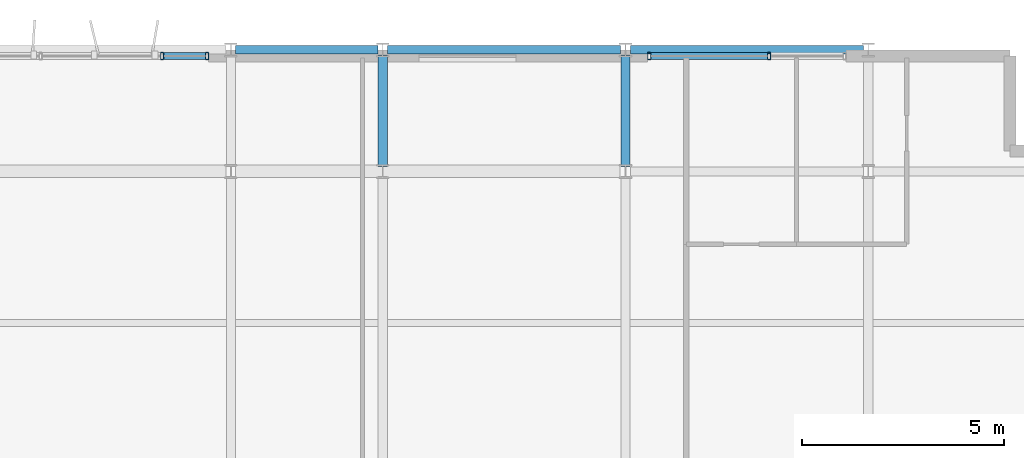
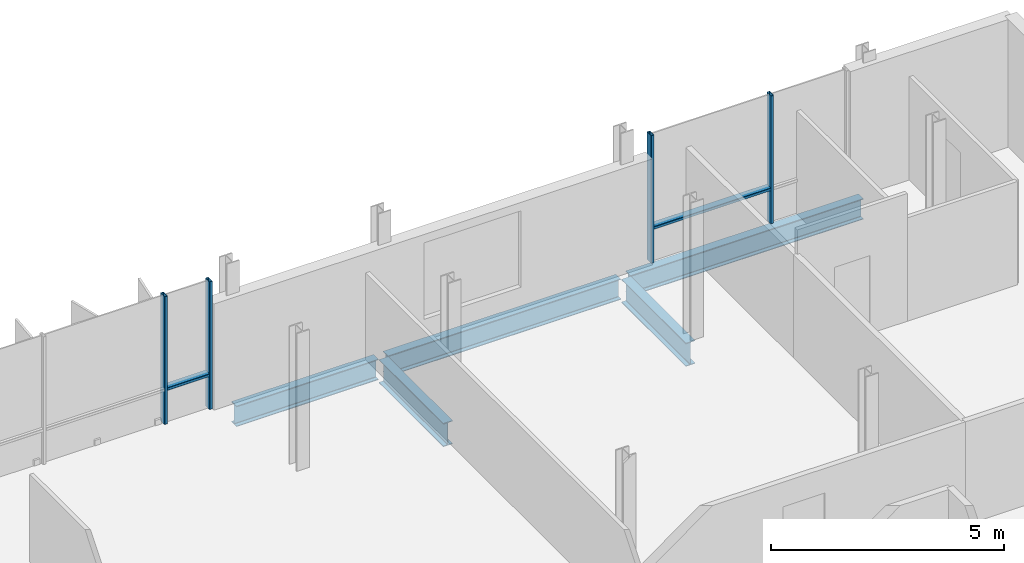
# One storey, part 7 of 18: 6 members, 5 beams, 2 elements without a shape of their own.
"""IFC4 building model written with IfcOpenShell, lengths in metres."""

import ifcopenshell
import ifcopenshell.guid

model = None  # the IFC model being written
_history = None  # IfcOwnerHistory: only IFC2X3 demands one
_inside = {}  # id of a spatial element -> (the spatial element, [elements in it])
_under = {}  # id of a project, library or spatial element -> (it, [spatial elements below it])
_declared = {}  # id of a project -> (the project, [libraries it declares])
_typed = {}  # id of a type object -> (the type object, [elements of that type])
_made_of = {}  # id of a material, layer set ... -> (it, [elements and type objects made of it])


def new_model(schema):
    """Start an empty IFC model of exactly this schema.

    Asked for "IFC4X3", IfcOpenShell would pick the latest addendum, in which some entities
    have other attributes; the version numbers below select the first issue.
    IFC2X3 requires an IfcOwnerHistory on every rooted entity: one is made here for all.
    """
    global model, _history
    if schema == "IFC4X3":
        model = ifcopenshell.file(schema_version=(4, 3, 0, 0))
    else:
        model = ifcopenshell.file(schema=schema)
    _inside.clear()
    _under.clear()
    _declared.clear()
    _typed.clear()
    _made_of.clear()
    _history = None
    if model.schema == "IFC2X3":
        org = make("IfcOrganization", Name="unknown")
        user = make(
            "IfcPersonAndOrganization",
            ThePerson=make("IfcPerson", FamilyName="unknown"),
            TheOrganization=org,
        )
        app = make(
            "IfcApplication",
            ApplicationDeveloper=org,
            Version="unknown",
            ApplicationFullName="unknown",
            ApplicationIdentifier="unknown",
        )
        _history = make(
            "IfcOwnerHistory",
            OwningUser=user,
            OwningApplication=app,
            ChangeAction="ADDED",
            CreationDate=0,
        )
    return model


def make(cls, **values):
    """One entity of the class cls with the attributes given. An attribute that is None is left unset."""
    return model.create_entity(
        cls, **{name: value for name, value in values.items() if value is not None}
    )


def rooted(cls, **values):
    """An entity with a GlobalId (a new one), such as an element, a storey or a relation."""
    return make(cls, GlobalId=ifcopenshell.guid.new(), OwnerHistory=_history, **values)


def si_unit(unit_type, name, prefix=None):
    """IfcSIUnit, for example si_unit("LENGTHUNIT", "METRE", prefix="MILLI")."""
    return make("IfcSIUnit", UnitType=unit_type, Prefix=prefix, Name=name)


def assignment(units):
    """IfcUnitAssignment: the units of a project."""
    return None if units is None else make("IfcUnitAssignment", Units=units)


def point(xyz):
    """IfcCartesianPoint."""
    return None if xyz is None else make("IfcCartesianPoint", Coordinates=xyz)


def direction(xyz):
    """IfcDirection."""
    return None if xyz is None else make("IfcDirection", DirectionRatios=xyz)


def frame(location, z_axis=None, x_axis=None):
    """IfcAxis2Placement3D, a coordinate frame: its origin and axes. An axis left out is left unset."""
    return make(
        "IfcAxis2Placement3D",
        Location=point(location),
        Axis=direction(z_axis),
        RefDirection=direction(x_axis),
    )


def frame_2d(location, x_axis=None):
    """IfcAxis2Placement2D, a coordinate frame in the plane: its origin and x axis."""
    return make(
        "IfcAxis2Placement2D", Location=point(location), RefDirection=direction(x_axis)
    )


def origin():
    """The frame at (0, 0, 0) with its axes left unset."""
    return frame((0.0, 0.0, 0.0))


def origin_2d():
    """The frame at (0, 0) in the plane with its x axis left unset."""
    return frame_2d((0.0, 0.0))


def place(relative_to, where):
    """IfcLocalPlacement: puts the frame where relative to a parent placement (None: the world)."""
    return make(
        "IfcLocalPlacement", PlacementRelTo=relative_to, RelativePlacement=where
    )


def context(
    kind, dimensions, precision=None, world=None, true_north=None, identifier=None
):
    """IfcGeometricRepresentationContext, for example the 3D "Model" context."""
    return make(
        "IfcGeometricRepresentationContext",
        ContextIdentifier=identifier,
        ContextType=kind,
        CoordinateSpaceDimension=dimensions,
        Precision=precision,
        WorldCoordinateSystem=world,
        TrueNorth=true_north,
    )


def subcontext(parent, identifier, kind, view, scale=None):
    """IfcGeometricRepresentationSubContext, for example "Body" below "Model"."""
    return make(
        "IfcGeometricRepresentationSubContext",
        ContextIdentifier=identifier,
        ContextType=kind,
        ParentContext=parent,
        TargetScale=scale,
        TargetView=view,
    )


def project(units=None, contexts=None):
    """IfcProject with its units and contexts."""
    return rooted(
        "IfcProject",
        Name="project",
        RepresentationContexts=contexts,
        UnitsInContext=assignment(units),
    )


def spatial(cls, under=None, at=None, **own):
    """A site, building, storey or space (cls), placed at a placement, below another one or the project."""
    s = rooted(cls, ObjectPlacement=at, **own)
    if under is not None:
        _under.setdefault(under.id(), (under, []))[1].append(s)
    return s


def profile(cls, at=None, kind="AREA", **sizes):
    """A parametric profile (cls). Its sizes go by their IFC names, for example OverallWidth=200.0."""
    return make(cls, ProfileType=kind, Position=at, **sizes)


def hollow_rectangle(**sizes):
    """IfcRectangleHollowProfileDef."""
    return profile("IfcRectangleHollowProfileDef", **sizes)


def i_section(**sizes):
    """IfcIShapeProfileDef."""
    return profile("IfcIShapeProfileDef", **sizes)


def extrude(swept, where, along, depth):
    """IfcExtrudedAreaSolid: the profile swept, set in the frame where, extruded along a direction by depth."""
    return make(
        "IfcExtrudedAreaSolid",
        SweptArea=swept,
        Position=where,
        ExtrudedDirection=direction(along),
        Depth=depth,
    )


def shape(context_of_items, identifier, shape_type, items):
    """IfcShapeRepresentation: the items that make up one representation, for example the "Body"."""
    return make(
        "IfcShapeRepresentation",
        ContextOfItems=context_of_items,
        RepresentationIdentifier=identifier,
        RepresentationType=shape_type,
        Items=items,
    )


def material(Name=None, Category=None):
    """IfcMaterial."""
    return make("IfcMaterial", Name=Name, Category=Category)


def layer(
    of_material, thickness, ventilated=None, Name=None, Category=None, Priority=None
):
    """IfcMaterialLayer: one layer of a wall or slab, of a material (None: an air gap)."""
    return make(
        "IfcMaterialLayer",
        Material=of_material,
        LayerThickness=thickness,
        IsVentilated=ventilated,
        Name=Name,
        Category=Category,
        Priority=Priority,
    )


def layer_set(layers, Name=None):
    """IfcMaterialLayerSet."""
    return make("IfcMaterialLayerSet", MaterialLayers=layers, LayerSetName=Name)


def material_profile(
    of_material, cross_section, Name=None, Category=None, Priority=None
):
    """IfcMaterialProfile: a cross section and its material."""
    return make(
        "IfcMaterialProfile",
        Name=Name,
        Material=of_material,
        Profile=cross_section,
        Priority=Priority,
        Category=Category,
    )


def profile_set(profiles, Name=None, composite=None):
    """IfcMaterialProfileSet."""
    return make(
        "IfcMaterialProfileSet",
        Name=Name,
        MaterialProfiles=profiles,
        CompositeProfile=composite,
    )


def made_of(thing, what):
    """Note that an element or type object is made of a material, layer set ...; save() writes the relation."""
    if what is not None:
        _made_of.setdefault(what.id(), (what, []))[1].append(thing)
    return thing


def type_object(cls, material=None, **own):
    """A type object (cls), such as IfcWallType, which elements share."""
    return made_of(rooted(cls, **own), material)


def element(
    cls,
    number,
    at=None,
    inside=None,
    cuts=None,
    type_object=None,
    material=None,
    context=None,
    identifier="Body",
    shape_type=None,
    held_by="IfcProductDefinitionShape",
    body=None,
    shapes=None,
    **own,
):
    """One element of the class cls, such as IfcWall. Its Tag is "e" and its number.

    at: its placement. inside: the storey or other place that contains it. cuts: it is an
    opening in that element (IfcRelVoidsElement). A single representation is given by context,
    identifier, shape_type and body (its items); several are given by shapes. held_by: the class
    of the entity that holds the representations. save() writes the other relations.
    """
    e = rooted(cls, Tag="e%d" % number, ObjectPlacement=at, **own)
    if body is not None:
        shapes = [shape(context, identifier, shape_type, body)]
    if shapes is not None:
        e.Representation = make(held_by, Representations=shapes)
    if inside is not None:
        _inside.setdefault(inside.id(), (inside, []))[1].append(e)
    if cuts is not None:
        rooted(
            "IfcRelVoidsElement", RelatingBuildingElement=cuts, RelatedOpeningElement=e
        )
    if type_object is not None:
        _typed.setdefault(type_object.id(), (type_object, []))[1].append(e)
    return made_of(e, material)


def aggregate(whole, parts):
    """IfcRelAggregates: a whole, such as a stair, and the parts it consists of."""
    return rooted("IfcRelAggregates", RelatingObject=whole, RelatedObjects=parts)


def save(model, path):
    """Write the relations noted so far, then the file.

    IfcRelAggregates (storeys below a building ...), IfcRelContainedInSpatialStructure (elements
    in a storey), IfcRelDefinesByType, IfcRelAssociatesMaterial and IfcRelDeclares: one each for
    every whole, place, type object, material and project.
    """
    for whole, parts in _under.values():
        aggregate(whole, parts)
    for where, things in _inside.values():
        rooted(
            "IfcRelContainedInSpatialStructure",
            RelatedElements=things,
            RelatingStructure=where,
        )
    for kind, things in _typed.values():
        rooted("IfcRelDefinesByType", RelatedObjects=things, RelatingType=kind)
    for what, things in _made_of.values():
        rooted("IfcRelAssociatesMaterial", RelatedObjects=things, RelatingMaterial=what)
    for by, libraries in _declared.values():
        rooted("IfcRelDeclares", RelatingContext=by, RelatedDefinitions=libraries)
    model.write(path)


model = new_model("IFC4")

# Units and contexts
model_context = context("Model", 3, precision=1e-05, world=origin(), true_north=direction((0.0, 1.0)))
body_context = subcontext(model_context, "Body", "Model", "MODEL_VIEW")
ifc_project = project(units=[si_unit("LENGTHUNIT", "METRE"), si_unit("AREAUNIT", "SQUARE_METRE"), si_unit("VOLUMEUNIT", "CUBIC_METRE"), si_unit("PLANEANGLEUNIT", "RADIAN"), si_unit("MASSUNIT", "GRAM", prefix="KILO")], contexts=[model_context])

# Site, building, storey
site_placement = place(None, origin())
site = spatial("IfcSite", under=ifc_project, at=site_placement, CompositionType="ELEMENT")
building_placement = place(site_placement, origin())
building = spatial("IfcBuilding", under=site, at=building_placement, Name="Brevholm Reach", CompositionType="ELEMENT")
storey_placement = place(building_placement, frame((0.0, 0.0, 243.64990234375)))
storey = spatial("IfcBuildingStorey", under=building, at=storey_placement, Name="L74", CompositionType="ELEMENT", Elevation=243.64990234375)

# Beams
ifc_material_1 = material(Name="Structural Steel S355J2", Category="steel")
ifc_material_profile_1 = material_profile(ifc_material_1, i_section(OverallWidth=0.210693359375, OverallDepth=0.53955078125, WebThickness=0.01171875, FlangeThickness=0.018798828125, FilletRadius=0.0126953125, at=origin_2d()), Name="UKB 533x210x109")
ifc_profile_set_1 = profile_set([ifc_material_profile_1], Name="Structural Steel S355J2")
beam_type_1 = type_object("IfcBeamType", Name="BM-SP539", PredefinedType="SPANDREL", material=ifc_profile_set_1)
beam_placement = place(storey_placement, frame((38.3701171875, 26.5, -0.51953125), z_axis=(1.0, 0.0, 0.0), x_axis=(0.0, 1.0, 0.0)))
element("IfcBeam", 1, at=beam_placement, inside=storey, type_object=beam_type_1, Name="L74 SP-01B Framing Beam", PredefinedType="SPANDREL", context=body_context, shape_type="SweptSolid", body=[
    extrude(i_section(OverallWidth=0.210693359375, OverallDepth=0.53955078125, WebThickness=0.01171875, FlangeThickness=0.018798828125, FilletRadius=0.0126953125, at=origin_2d()), origin(), (0.0, 0.0, 1.0), 3.509765625),
])
for number, where, z_axis, x_axis, name in (
    (2, (42.1201171875, 26.5, -0.51953125), (1.0, 0.0, 0.0), (0.0, 1.0, 0.0), "L74 SP-01B Framing Beam"),
    (3, (48.1201171875, 26.5, -0.51953125), (1.0, 0.0, 0.0), (0.0, 1.0, 0.0), "L74 SP-01B Framing Beam"),
):
    element("IfcBeam", number, at=place(storey_placement, frame(where, z_axis=z_axis, x_axis=x_axis)), inside=storey, type_object=beam_type_1, Name=name, PredefinedType="SPANDREL", context=body_context, shape_type="SweptSolid", body=[
        extrude(i_section(OverallWidth=0.210693359375, OverallDepth=0.53955078125, WebThickness=0.01171875, FlangeThickness=0.018798828125, FilletRadius=0.0126953125, at=origin_2d()), origin(), (0.0, 0.0, 1.0), 5.759765625),
    ])
ifc_material_2 = material(Name="Structural Steel S355J2", Category="steel")
ifc_material_profile_2 = material_profile(ifc_material_2, i_section(OverallWidth=0.22900390625, OverallDepth=0.6123046875, WebThickness=0.011962890625, FlangeThickness=0.01953125, FilletRadius=0.0126953125, at=origin_2d()), Name="UKB 610x229x125")
ifc_profile_set_2 = profile_set([ifc_material_profile_2], Name="Structural Steel S355J2")
beam_type_2 = type_object("IfcBeamType", Name="BM-SP610", PredefinedType="SPANDREL", material=ifc_profile_set_2)
for number, where, z_axis, x_axis, name in (
    (4, (42.0, 23.6201171875, -0.555908203125), (0.0, 1.0, 0.0), (-1.0, 0.0, 0.0), "L74 SP-01 Framing Beam"),
    (5, (48.0, 23.6201171875, -0.555908203125), (0.0, 1.0, 0.0), (-1.0, 0.0, 0.0), "L74 SP-01 Framing Beam"),
):
    element("IfcBeam", number, at=place(storey_placement, frame(where, z_axis=z_axis, x_axis=x_axis)), inside=storey, type_object=beam_type_2, Name=name, PredefinedType="SPANDREL", context=body_context, shape_type="SweptSolid", body=[
        extrude(i_section(OverallWidth=0.22900390625, OverallDepth=0.6123046875, WebThickness=0.011962890625, FlangeThickness=0.01953125, FilletRadius=0.0126953125, at=origin_2d()), origin(), (0.0, 0.0, 1.0), 2.759765625),
    ])

# Curtain wall, members
ifc_material_3 = material(Name="Dark Anodised Aluminium 6063-T6 and Solar-Control Glass", Category="aluminium")
ifc_layer = layer(ifc_material_3, 0.179931640625)
ifc_layer_set = layer_set([ifc_layer], Name="Dark Anodised Aluminium 6063-T6 and Solar-Control Glass")
curtain_wall_type = type_object("IfcCurtainWallType", Name="CW-05", PredefinedType="NOTDEFINED", material=ifc_layer_set)
curtain_wall_1_placement = place(storey_placement, origin())
curtain_wall_1 = element("IfcCurtainWall", 6, at=curtain_wall_1_placement, inside=storey, type_object=curtain_wall_type, Name="L74 Curtain Wall CW-05", PredefinedType="NOTDEFINED")
ifc_material_4 = material(Name="Dark Anodised Aluminium 6063-T6", Category="aluminium")
ifc_material_profile_3 = material_profile(ifc_material_4, hollow_rectangle(XDim=0.074951171875, YDim=0.179931640625, WallThickness=0.006103515625, InnerFilletRadius=0.006103515625, OuterFilletRadius=0.011962890625, at=origin_2d()), Name="RHS 180x75x6")
ifc_profile_set_3 = profile_set([ifc_material_profile_3], Name="Dark Anodised Aluminium 6063-T6")
member_type_1 = type_object("IfcMemberType", Name="CWM-180", PredefinedType="MULLION", material=ifc_profile_set_3)
member_1_placement = place(storey_placement, frame((36.550048828125, 26.35009765625, 0.0), z_axis=(0.0, 0.0, 1.0), x_axis=(1.0, 0.0, 0.0)))
member_1 = element("IfcMember", 7, at=member_1_placement, type_object=member_type_1, Name="CM-180 Mullion 3", PredefinedType="MULLION", context=body_context, shape_type="SweptSolid", body=[
    extrude(hollow_rectangle(XDim=0.074951171875, YDim=0.179931640625, WallThickness=0.006103515625, InnerFilletRadius=0.006103515625, OuterFilletRadius=0.011962890625, at=origin_2d()), origin(), (0.0, 0.0, 1.0), 3.340087890625),
])
member_2_placement = place(storey_placement, frame((37.66259765625, 26.35009765625, 0.0), z_axis=(0.0, 0.0, 1.0), x_axis=(1.0, 0.0, 0.0)))
member_2 = element("IfcMember", 8, at=member_2_placement, type_object=member_type_1, Name="CM-180 Mullion 4", PredefinedType="MULLION", context=body_context, shape_type="SweptSolid", body=[
    extrude(hollow_rectangle(XDim=0.074951171875, YDim=0.179931640625, WallThickness=0.006103515625, InnerFilletRadius=0.006103515625, OuterFilletRadius=0.011962890625, at=origin_2d()), origin(), (0.0, 0.0, 1.0), 3.340087890625),
])

curtain_wall_2_placement = place(storey_placement, origin())
curtain_wall_2 = element("IfcCurtainWall", 9, at=curtain_wall_2_placement, inside=storey, type_object=curtain_wall_type, Name="L74 Curtain Wall CW-05", PredefinedType="NOTDEFINED")
member_3_placement = place(storey_placement, frame((48.58740234375, 26.35009765625, 0.0), z_axis=(0.0, 0.0, 1.0), x_axis=(1.0, 0.0, 0.0)))
member_3 = element("IfcMember", 10, at=member_3_placement, type_object=member_type_1, Name="CM-180 Mullion 1", PredefinedType="MULLION", context=body_context, shape_type="SweptSolid", body=[
    extrude(hollow_rectangle(XDim=0.074951171875, YDim=0.179931640625, WallThickness=0.006103515625, InnerFilletRadius=0.006103515625, OuterFilletRadius=0.011962890625, at=origin_2d()), origin(), (0.0, 0.0, 1.0), 3.340087890625),
])
member_4_placement = place(storey_placement, frame((51.550048828125, 26.35009765625, 0.0), z_axis=(0.0, 0.0, 1.0), x_axis=(1.0, 0.0, 0.0)))
member_4 = element("IfcMember", 11, at=member_4_placement, type_object=member_type_1, Name="CM-180 Mullion 2", PredefinedType="MULLION", context=body_context, shape_type="SweptSolid", body=[
    extrude(hollow_rectangle(XDim=0.074951171875, YDim=0.179931640625, WallThickness=0.006103515625, InnerFilletRadius=0.006103515625, OuterFilletRadius=0.011962890625, at=origin_2d()), origin(), (0.0, 0.0, 1.0), 3.340087890625),
])

# Member
ifc_material_5 = material(Name="Dark Anodised Aluminium 6063-T6", Category="aluminium")
ifc_material_profile_4 = material_profile(ifc_material_5, hollow_rectangle(XDim=0.074951171875, YDim=0.179931640625, WallThickness=0.006103515625, InnerFilletRadius=0.006103515625, OuterFilletRadius=0.011962890625, at=origin_2d()), Name="RHS 180x75x6")
ifc_profile_set_4 = profile_set([ifc_material_profile_4], Name="Dark Anodised Aluminium 6063-T6")
member_type_2 = type_object("IfcMemberType", Name="CWT-180", PredefinedType="NOTDEFINED", material=ifc_profile_set_4)
member_5_placement = place(storey_placement, frame((36.58740234375, 26.35009765625, 0.900146484375), z_axis=(1.0, 0.0, 0.0), x_axis=(0.0, 0.0, 1.0)))
member_5 = element("IfcMember", 12, at=member_5_placement, type_object=member_type_2, Name="CT-180 Transom 3.1", ObjectType="TRANSOM", PredefinedType="USERDEFINED", context=body_context, shape_type="SweptSolid", body=[
    extrude(hollow_rectangle(XDim=0.074951171875, YDim=0.179931640625, WallThickness=0.006103515625, InnerFilletRadius=0.006103515625, OuterFilletRadius=0.011962890625, at=origin_2d()), origin(), (0.0, 0.0, 1.0), 1.03759765625),
])

aggregate(curtain_wall_1, [member_1, member_2, member_5])

member_6_placement = place(storey_placement, frame((48.625, 26.35009765625, 0.900146484375), z_axis=(1.0, 0.0, 0.0), x_axis=(0.0, 0.0, 1.0)))
member_6 = element("IfcMember", 13, at=member_6_placement, type_object=member_type_2, Name="CT-180 Transom 1.1", ObjectType="TRANSOM", PredefinedType="USERDEFINED", context=body_context, shape_type="SweptSolid", body=[
    extrude(hollow_rectangle(XDim=0.074951171875, YDim=0.179931640625, WallThickness=0.006103515625, InnerFilletRadius=0.006103515625, OuterFilletRadius=0.011962890625, at=origin_2d()), origin(), (0.0, 0.0, 1.0), 2.887451171875),
])

aggregate(curtain_wall_2, [member_3, member_4, member_6])

save(model, "model.ifc")
